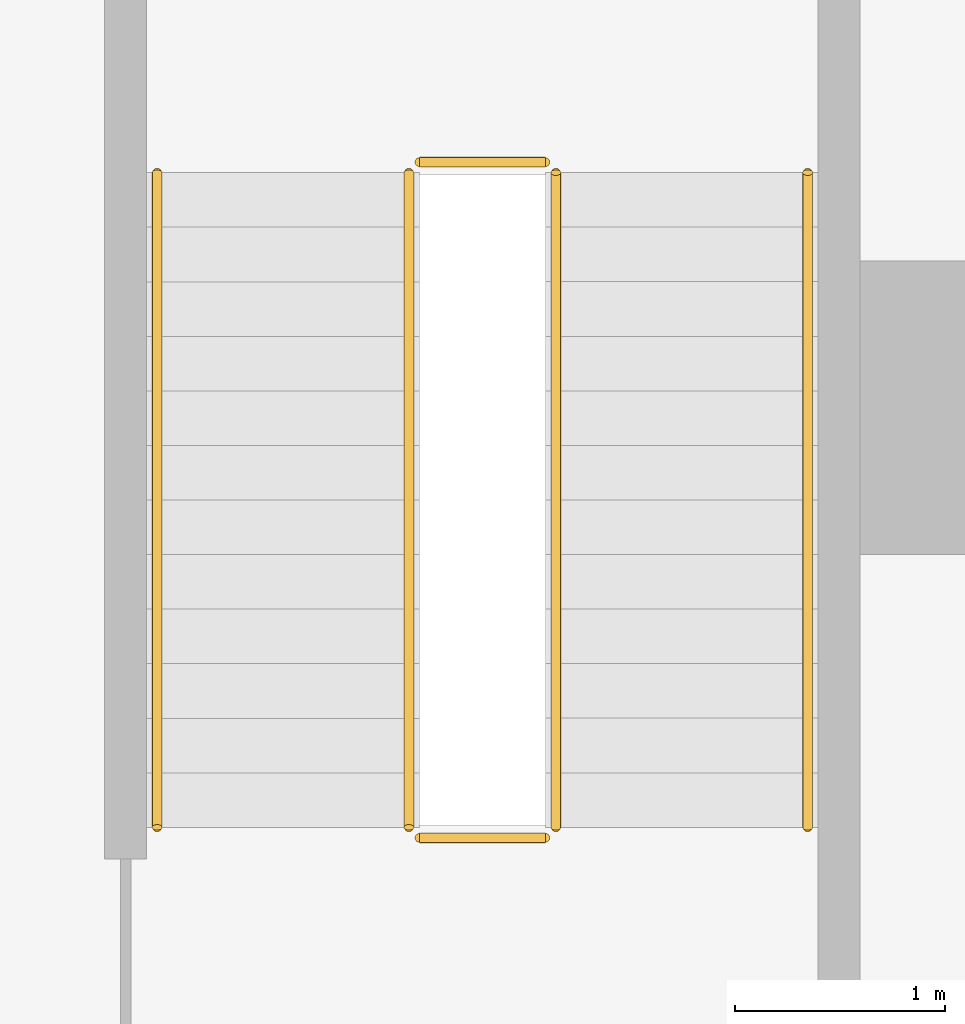
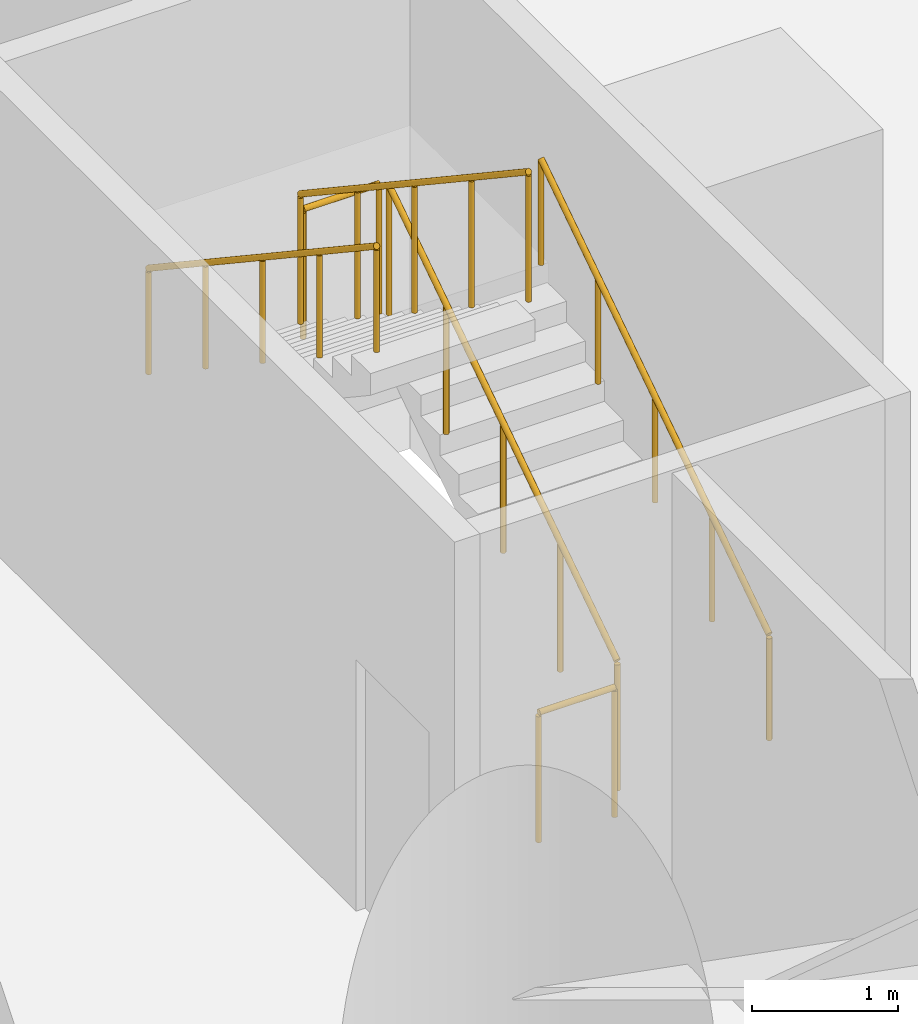
# One storey, part 16 of 16: 6 railings.
"""IFC4 building model written with IfcOpenShell, lengths in metres."""

from ifc_helpers import new_model, si_unit, direction, frame, origin, origin_2d, place, context, subcontext, project, spatial, circle, extrude, material, type_object, element, save


model = new_model("IFC4")

# Units and contexts
model_context = context("Model", 3, precision=1e-05, world=origin(), true_north=direction((0.0, 1.0)))
body_context = subcontext(model_context, "Body", "Model", "MODEL_VIEW")
ifc_project = project(units=[si_unit("LENGTHUNIT", "METRE"), si_unit("AREAUNIT", "SQUARE_METRE"), si_unit("VOLUMEUNIT", "CUBIC_METRE"), si_unit("PLANEANGLEUNIT", "RADIAN"), si_unit("MASSUNIT", "GRAM", prefix="KILO")], contexts=[model_context])

# Site, building, storey
site_placement = place(None, origin())
site = spatial("IfcSite", under=ifc_project, at=site_placement, CompositionType="ELEMENT")
building_placement = place(site_placement, origin())
building = spatial("IfcBuilding", under=site, at=building_placement, Name="Tamarind Cross Interchange Tower", CompositionType="ELEMENT")
storey_placement = place(building_placement, frame((0.0, 0.0, 25.0)))
storey = spatial("IfcBuildingStorey", under=building, at=storey_placement, Name="L04", CompositionType="ELEMENT", Elevation=25.0)

# Railings
ifc_material_1 = material(Name="Stair guard")
railing_type_1 = type_object("IfcRailingType", Name="Stair guard", PredefinedType="GUARDRAIL", material=ifc_material_1)
railing_1_placement = place(storey_placement, frame((3.35009765625, 28.300048828125, 0.173095703125)))
element("IfcRailing", 1, at=railing_1_placement, inside=storey, type_object=railing_type_1, Name="L04 ST4 stair guard 1", PredefinedType="GUARDRAIL", context=body_context, shape_type="SweptSolid", body=[
    extrude(circle(Radius=0.02392578125, at=origin_2d()), frame((0.0, 0.0, 1.076171875), z_axis=(0.0, 0.832420903958, 0.554143879018), x_axis=(-1.0, 0.0, 0.0)), (0.0, 0.0, 1.0), 3.748046875),
    extrude(circle(Radius=0.02099609375, at=origin_2d()), origin(), (0.0, 0.0, 1.0), 1.052001953125),
    extrude(circle(Radius=0.02099609375, at=origin_2d()), frame((0.0, 0.780029296875, 0.519287109375)), (0.0, 0.0, 1.0), 1.052001953125),
    extrude(circle(Radius=0.02099609375, at=origin_2d()), frame((0.0, 1.56005859375, 1.03857421875)), (0.0, 0.0, 1.0), 1.052001953125),
    extrude(circle(Radius=0.02099609375, at=origin_2d()), frame((0.0, 2.33984375, 1.5576171875)), (0.0, 0.0, 1.0), 1.052001953125),
    extrude(circle(Radius=0.02099609375, at=origin_2d()), frame((0.0, 3.119873046875, 2.076904296875)), (0.0, 0.0, 1.0), 1.052001953125),
])
railing_2_placement = place(storey_placement, frame((3.300048828125, 31.469970703125, 2.25)))
element("IfcRailing", 2, at=railing_2_placement, inside=storey, type_object=railing_type_1, Name="L04 ST4 stair guard 2", PredefinedType="GUARDRAIL", context=body_context, shape_type="SweptSolid", body=[
    extrude(circle(Radius=0.02392578125, at=origin_2d()), frame((0.0, 0.0, 1.076171875), z_axis=(-1.0, 0.0, 0.0), x_axis=(0.0, -1.0, 0.0)), (0.0, 0.0, 1.0), 0.60009765625),
    extrude(circle(Radius=0.02099609375, at=origin_2d()), origin(), (0.0, 0.0, 1.0), 1.052001953125),
    extrude(circle(Radius=0.02099609375, at=origin_2d()), frame((-0.60009765625, 0.0, 0.0)), (0.0, 0.0, 1.0), 1.052001953125),
])
railing_3_placement = place(storey_placement, frame((2.64990234375, 31.419921875, 2.423095703125)))
element("IfcRailing", 3, at=railing_3_placement, inside=storey, type_object=railing_type_1, Name="L04 ST4 stair guard 3", PredefinedType="GUARDRAIL", context=body_context, shape_type="SweptSolid", body=[
    extrude(circle(Radius=0.02392578125, at=origin_2d()), frame((0.0, 0.0, 1.076171875), z_axis=(0.0, -0.832420903958, 0.554143879018), x_axis=(1.0, 0.0, 0.0)), (0.0, 0.0, 1.0), 3.748046875),
    extrude(circle(Radius=0.02099609375, at=origin_2d()), origin(), (0.0, 0.0, 1.0), 1.052001953125),
    extrude(circle(Radius=0.02099609375, at=origin_2d()), frame((0.0, -0.780029296875, 0.519287109375)), (0.0, 0.0, 1.0), 1.052001953125),
    extrude(circle(Radius=0.02099609375, at=origin_2d()), frame((0.0, -1.56005859375, 1.03857421875)), (0.0, 0.0, 1.0), 1.052001953125),
    extrude(circle(Radius=0.02099609375, at=origin_2d()), frame((0.0, -2.33984375, 1.5576171875)), (0.0, 0.0, 1.0), 1.052001953125),
    extrude(circle(Radius=0.02099609375, at=origin_2d()), frame((0.0, -3.119873046875, 2.076904296875)), (0.0, 0.0, 1.0), 1.052001953125),
])
railing_4_placement = place(storey_placement, frame((3.300048828125, 28.25, 0.0)))
element("IfcRailing", 4, at=railing_4_placement, inside=storey, type_object=railing_type_1, Name="L04 ST4 stair guard 4", PredefinedType="GUARDRAIL", context=body_context, shape_type="SweptSolid", body=[
    extrude(circle(Radius=0.02392578125, at=origin_2d()), frame((0.0, 0.0, 1.076171875), z_axis=(-1.0, 0.0, 0.0), x_axis=(0.0, -1.0, 0.0)), (0.0, 0.0, 1.0), 0.60009765625),
    extrude(circle(Radius=0.02099609375, at=origin_2d()), origin(), (0.0, 0.0, 1.0), 1.052001953125),
    extrude(circle(Radius=0.02099609375, at=origin_2d()), frame((-0.60009765625, 0.0, 0.0)), (0.0, 0.0, 1.0), 1.052001953125),
])
ifc_material_2 = material(Name="Stair handrail")
railing_type_2 = type_object("IfcRailingType", Name="Stair handrail", PredefinedType="HANDRAIL", material=ifc_material_2)
railing_5_placement = place(storey_placement, frame((4.550048828125, 28.300048828125, 0.173095703125)))
element("IfcRailing", 5, at=railing_5_placement, inside=storey, type_object=railing_type_2, Name="L04 ST4 stair handrail 1", PredefinedType="HANDRAIL", context=body_context, shape_type="SweptSolid", body=[
    extrude(circle(Radius=0.02392578125, at=origin_2d()), frame((0.0, 0.0, 0.8759765625), z_axis=(0.0, 0.832420903958, 0.554143879018), x_axis=(-1.0, 0.0, 0.0)), (0.0, 0.0, 1.0), 3.748046875),
    extrude(circle(Radius=0.02099609375, at=origin_2d()), origin(), (0.0, 0.0, 1.0), 0.851806640625),
    extrude(circle(Radius=0.02099609375, at=origin_2d()), frame((0.0, 0.780029296875, 0.519287109375)), (0.0, 0.0, 1.0), 0.851806640625),
    extrude(circle(Radius=0.02099609375, at=origin_2d()), frame((0.0, 1.56005859375, 1.03857421875)), (0.0, 0.0, 1.0), 0.851806640625),
    extrude(circle(Radius=0.02099609375, at=origin_2d()), frame((0.0, 2.33984375, 1.5576171875)), (0.0, 0.0, 1.0), 0.851806640625),
    extrude(circle(Radius=0.02099609375, at=origin_2d()), frame((0.0, 3.119873046875, 2.076904296875)), (0.0, 0.0, 1.0), 0.851806640625),
])
railing_6_placement = place(storey_placement, frame((1.449951171875, 31.419921875, 2.423095703125)))
element("IfcRailing", 6, at=railing_6_placement, inside=storey, type_object=railing_type_2, Name="L04 ST4 stair handrail 2", PredefinedType="HANDRAIL", context=body_context, shape_type="SweptSolid", body=[
    extrude(circle(Radius=0.02392578125, at=origin_2d()), frame((0.0, 0.0, 0.8759765625), z_axis=(0.0, -0.832420903958, 0.554143879018), x_axis=(1.0, 0.0, 0.0)), (0.0, 0.0, 1.0), 3.748046875),
    extrude(circle(Radius=0.02099609375, at=origin_2d()), origin(), (0.0, 0.0, 1.0), 0.851806640625),
    extrude(circle(Radius=0.02099609375, at=origin_2d()), frame((0.0, -0.780029296875, 0.519287109375)), (0.0, 0.0, 1.0), 0.851806640625),
    extrude(circle(Radius=0.02099609375, at=origin_2d()), frame((0.0, -1.56005859375, 1.03857421875)), (0.0, 0.0, 1.0), 0.851806640625),
    extrude(circle(Radius=0.02099609375, at=origin_2d()), frame((0.0, -2.33984375, 1.5576171875)), (0.0, 0.0, 1.0), 0.851806640625),
    extrude(circle(Radius=0.02099609375, at=origin_2d()), frame((0.0, -3.119873046875, 2.076904296875)), (0.0, 0.0, 1.0), 0.851806640625),
])

save(model, "model.ifc")
